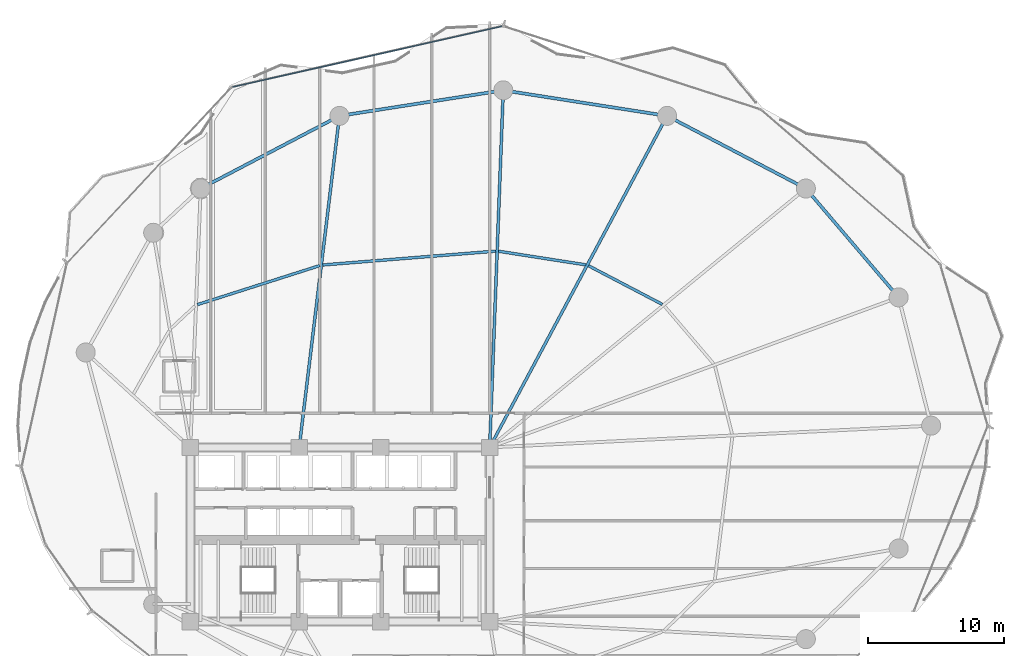
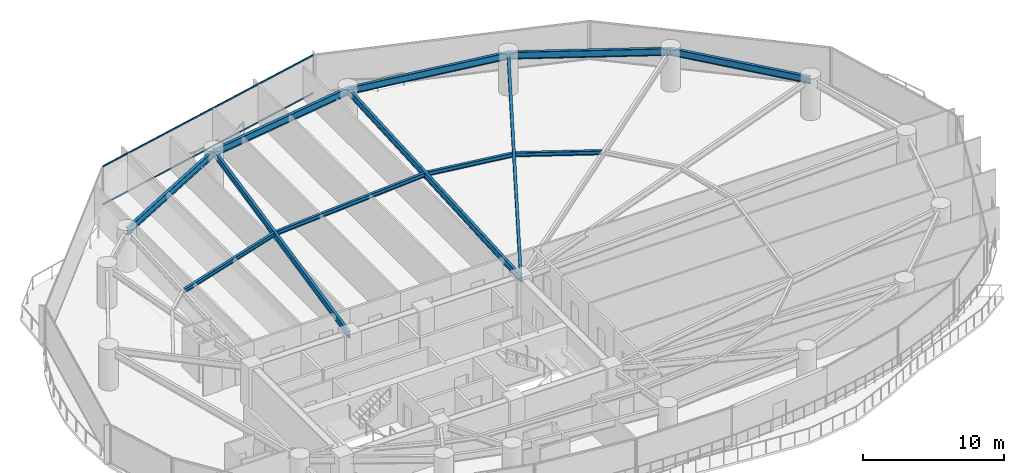
# One storey, part 18 of 33: 12 beams, 2 members, 1 element without a shape of its own.
"""IFC4 building model written with IfcOpenShell, lengths in metres."""

from ifc_helpers import new_model, si_unit, direction, frame, origin, origin_2d, place, context, subcontext, project, spatial, hollow_rectangle, i_section, extrude, material, layer, layer_set, material_profile, profile_set, type_object, element, aggregate, save


model = new_model("IFC4")

# Units and contexts
model_context = context("Model", 3, precision=1e-05, world=origin(), true_north=direction((0.0, 1.0)))
body_context = subcontext(model_context, "Body", "Model", "MODEL_VIEW")
ifc_project = project(units=[si_unit("LENGTHUNIT", "METRE"), si_unit("AREAUNIT", "SQUARE_METRE"), si_unit("VOLUMEUNIT", "CUBIC_METRE"), si_unit("PLANEANGLEUNIT", "RADIAN"), si_unit("MASSUNIT", "GRAM", prefix="KILO")], contexts=[model_context])

# Site, building, storey
site_placement = place(None, origin())
site = spatial("IfcSite", under=ifc_project, at=site_placement, CompositionType="ELEMENT")
building_placement = place(site_placement, origin())
building = spatial("IfcBuilding", under=site, at=building_placement, Name="Kazevale Care Tower and Concert Hall", CompositionType="ELEMENT")
storey_placement = place(building_placement, frame((0.0, 0.0, 27.60009765625)))
storey = spatial("IfcBuildingStorey", under=building, at=storey_placement, Name="L06", CompositionType="ELEMENT", Elevation=27.60009765625)

# Curtain wall, members
ifc_material_1 = material(Name="Aluminium 6063-T6 and Low-E Glass", Category="aluminium")
ifc_layer = layer(ifc_material_1, 0.179931640625)
ifc_layer_set = layer_set([ifc_layer], Name="Aluminium 6063-T6 and Low-E Glass")
curtain_wall_type = type_object("IfcCurtainWallType", Name="Convex Recessed Sunroom Curtain Wall CW-3", PredefinedType="NOTDEFINED", material=ifc_layer_set)
curtain_wall_placement = place(storey_placement, origin())
curtain_wall = element("IfcCurtainWall", 1, at=curtain_wall_placement, inside=storey, type_object=curtain_wall_type, Name="cw:L06:f15", PredefinedType="NOTDEFINED")
ifc_material_2 = material(Name="Aluminium 6063-T6", Category="aluminium")
ifc_material_profile_1 = material_profile(ifc_material_2, hollow_rectangle(XDim=0.074951171875, YDim=0.1201171875, WallThickness=0.00390625, at=origin_2d()), Name="ALU75x120x4")
ifc_profile_set_1 = profile_set([ifc_material_profile_1], Name="Aluminium 6063-T6")
member_type = type_object("IfcMemberType", Name="CW-3 Transom ALU75x120x4", PredefinedType="USERDEFINED", material=ifc_profile_set_1)
member_1_placement = place(storey_placement, frame((25.110107421875, 62.8935546875, 0.037353515625), z_axis=(0.975519983898, 0.219910802409, 0.0), x_axis=(-0.219910802409, 0.975519983898, 0.0)))
member_1 = element("IfcMember", 2, at=member_1_placement, type_object=member_type, Name="CW-3 transom 1.1", ObjectType="TRANSOM", PredefinedType="USERDEFINED", context=body_context, shape_type="SweptSolid", body=[
    extrude(hollow_rectangle(XDim=0.074951171875, YDim=0.1201171875, WallThickness=0.00390625, at=origin_2d()), origin(), (0.0, 0.0, 1.0), 20.27197265625),
])
member_2_placement = place(storey_placement, frame((25.110107421875, 62.8935546875, 3.322509765625), z_axis=(0.975519983898, 0.219910802409, 0.0), x_axis=(-0.219910802409, 0.975519983898, 0.0)))
member_2 = element("IfcMember", 3, at=member_2_placement, type_object=member_type, Name="CW-3 transom 1.2", ObjectType="TRANSOM", PredefinedType="USERDEFINED", context=body_context, shape_type="SweptSolid", body=[
    extrude(hollow_rectangle(XDim=0.074951171875, YDim=0.1201171875, WallThickness=0.00390625, at=origin_2d()), origin(), (0.0, 0.0, 1.0), 20.27197265625),
])
aggregate(curtain_wall, [member_1, member_2])

# Beams
ifc_material_3 = material(Name="Steel ASTM A572 Gr 50", Category="steel")
ifc_material_profile_2 = material_profile(ifc_material_3, i_section(OverallWidth=0.2119140625, OverallDepth=0.5439453125, WebThickness=0.01318359375, FlangeThickness=0.021240234375, at=origin_2d()), Name="W530x123")
ifc_profile_set_2 = profile_set([ifc_material_profile_2], Name="Steel ASTM A572 Gr 50")
beam_type_1 = type_object("IfcBeamType", Name="Radial Floor Girder W530x123", PredefinedType="BEAM", material=ifc_profile_set_2)
beam_1_placement = place(storey_placement, frame((44.0, 36.39990234375, 3.087890625), z_axis=(0.471788966953, 0.88171150081, 0.0), x_axis=(-0.88171150081, 0.471788966953, 0.0)))
element("IfcBeam", 4, at=beam_1_placement, inside=storey, type_object=beam_type_1, Name="beam:L06:rad:04", PredefinedType="BEAM", context=body_context, shape_type="SweptSolid", body=[
    extrude(i_section(OverallWidth=0.2119140625, OverallDepth=0.5439453125, WebThickness=0.01318359375, FlangeThickness=0.021240234375, at=origin_2d()), origin(), (0.0, 0.0, 1.0), 27.6396484375),
])
beam_2_placement = place(storey_placement, frame((44.0, 36.39990234375, 3.087890625), z_axis=(0.038067625343, 0.999275165258, 0.0), x_axis=(-0.999275165258, 0.038067625343, 0.0)))
element("IfcBeam", 5, at=beam_2_placement, inside=storey, type_object=beam_type_1, Name="beam:L06:rad:05", PredefinedType="BEAM", context=body_context, shape_type="SweptSolid", body=[
    extrude(i_section(OverallWidth=0.2119140625, OverallDepth=0.5439453125, WebThickness=0.01318359375, FlangeThickness=0.021240234375, at=origin_2d()), origin(), (0.0, 0.0, 1.0), 26.26904296875),
])
beam_3_placement = place(storey_placement, frame((30.0, 36.39990234375, 3.087890625), z_axis=(0.120572526662, 0.9927045209, 0.0), x_axis=(-0.9927045209, 0.120572526662, 0.0)))
element("IfcBeam", 6, at=beam_3_placement, inside=storey, type_object=beam_type_1, Name="beam:L06:rad:06", PredefinedType="BEAM", context=body_context, shape_type="SweptSolid", body=[
    extrude(i_section(OverallWidth=0.2119140625, OverallDepth=0.5439453125, WebThickness=0.01318359375, FlangeThickness=0.021240234375, at=origin_2d()), origin(), (0.0, 0.0, 1.0), 24.54931640625),
])
ifc_material_profile_3 = material_profile(ifc_material_3, i_section(OverallWidth=0.22900390625, OverallDepth=0.612060546875, WebThickness=0.011962890625, FlangeThickness=0.01953125, at=origin_2d()), Name="W610x125")
ifc_profile_set_3 = profile_set([ifc_material_profile_3], Name="Steel ASTM A572 Gr 50")
beam_type_2 = type_object("IfcBeamType", Name="Ring Spandrel Beam W610x125", PredefinedType="SPANDREL", material=ifc_profile_set_3)
beam_4_placement = place(storey_placement, frame((74.06005859375, 47.429931640625, 3.053955078125), z_axis=(-0.648756004283, 0.760996482848, 0.0), x_axis=(-0.760996482848, -0.648756004283, 0.0)))
element("IfcBeam", 7, at=beam_4_placement, inside=storey, type_object=beam_type_2, Name="beam:L06:ring:02", PredefinedType="SPANDREL", context=body_context, shape_type="SweptSolid", body=[
    extrude(i_section(OverallWidth=0.22900390625, OverallDepth=0.612060546875, WebThickness=0.011962890625, FlangeThickness=0.01953125, at=origin_2d()), origin(), (0.0, 0.0, 1.0), 10.512451171875),
])
beam_5_placement = place(storey_placement, frame((67.239990234375, 55.429931640625, 3.053955078125), z_axis=(-0.885929466679, 0.463819986708, 0.0), x_axis=(-0.463819986708, -0.885929466679, 0.0)))
element("IfcBeam", 8, at=beam_5_placement, inside=storey, type_object=beam_type_2, Name="beam:L06:ring:03", PredefinedType="SPANDREL", context=body_context, shape_type="SweptSolid", body=[
    extrude(i_section(OverallWidth=0.22900390625, OverallDepth=0.612060546875, WebThickness=0.011962890625, FlangeThickness=0.01953125, at=origin_2d()), origin(), (0.0, 0.0, 1.0), 11.51318359375),
])
for number, where, z_axis, x_axis, name in (
    (9, (57.0400390625, 60.77001953125, 3.053955078125), (-0.988029216561, 0.154266870134, 0.0), (-0.154266870134, -0.988029216561, 0.0), "beam:L06:ring:04"),
    (10, (45.0, 62.64990234375, 3.053955078125), (-0.988029216561, -0.154266870134, 0.0), (0.154266870134, -0.988029216561, 0.0), "beam:L06:ring:05"),
):
    element("IfcBeam", number, at=place(storey_placement, frame(where, z_axis=z_axis, x_axis=x_axis)), inside=storey, type_object=beam_type_2, Name=name, PredefinedType="SPANDREL", context=body_context, shape_type="SweptSolid", body=[
        extrude(i_section(OverallWidth=0.22900390625, OverallDepth=0.612060546875, WebThickness=0.011962890625, FlangeThickness=0.01953125, at=origin_2d()), origin(), (0.0, 0.0, 1.0), 12.18603515625),
    ])
beam_6_placement = place(storey_placement, frame((32.9599609375, 60.77001953125, 3.053955078125), z_axis=(-0.885929466679, -0.463819986708, 0.0), x_axis=(0.463819986708, -0.885929466679, 0.0)))
element("IfcBeam", 11, at=beam_6_placement, inside=storey, type_object=beam_type_2, Name="beam:L06:ring:06", PredefinedType="SPANDREL", context=body_context, shape_type="SweptSolid", body=[
    extrude(i_section(OverallWidth=0.22900390625, OverallDepth=0.612060546875, WebThickness=0.011962890625, FlangeThickness=0.01953125, at=origin_2d()), origin(), (0.0, 0.0, 1.0), 11.51318359375),
])
ifc_material_profile_4 = material_profile(ifc_material_3, i_section(OverallWidth=0.205078125, OverallDepth=0.35400390625, WebThickness=0.009521484375, FlangeThickness=0.016845703125, at=origin_2d()), Name="W360x79")
ifc_profile_set_4 = profile_set([ifc_material_profile_4], Name="Steel ASTM A572 Gr 50")
beam_type_3 = type_object("IfcBeamType", Name="Secondary Floor Joist W360x79", PredefinedType="JOIST", material=ifc_profile_set_4)
beam_7_placement = place(storey_placement, frame((56.68896484375, 46.9150390625, 3.182861328125), z_axis=(-0.885921274797, 0.463835633454, 0.0), x_axis=(-0.463835633454, -0.885921274797, 0.0)))
element("IfcBeam", 12, at=beam_7_placement, inside=storey, type_object=beam_type_3, Name="beam:L06:joist:03", PredefinedType="JOIST", context=body_context, shape_type="SweptSolid", body=[
    extrude(i_section(OverallWidth=0.205078125, OverallDepth=0.35400390625, WebThickness=0.009521484375, FlangeThickness=0.016845703125, at=origin_2d()), origin(), (0.0, 0.0, 1.0), 6.12255859375),
])
beam_8_placement = place(storey_placement, frame((51.068115234375, 49.820068359375, 3.182861328125), z_axis=(-0.988040697826, 0.154193318403, 0.0), x_axis=(-0.154193318403, -0.988040697826, 0.0)))
element("IfcBeam", 13, at=beam_8_placement, inside=storey, type_object=beam_type_3, Name="beam:L06:joist:04", PredefinedType="JOIST", context=body_context, shape_type="SweptSolid", body=[
    extrude(i_section(OverallWidth=0.205078125, OverallDepth=0.35400390625, WebThickness=0.009521484375, FlangeThickness=0.016845703125, at=origin_2d()), origin(), (0.0, 0.0, 1.0), 6.49169921875),
])
beam_9_placement = place(storey_placement, frame((44.445068359375, 50.8291015625, 3.182861328125), z_axis=(-0.996814548036, -0.079754353015, 0.0), x_axis=(0.079754353015, -0.996814548036, 0.0)))
element("IfcBeam", 14, at=beam_9_placement, inside=storey, type_object=beam_type_3, Name="beam:L06:joist:05", PredefinedType="JOIST", context=body_context, shape_type="SweptSolid", body=[
    extrude(i_section(OverallWidth=0.205078125, OverallDepth=0.35400390625, WebThickness=0.009521484375, FlangeThickness=0.016845703125, at=origin_2d()), origin(), (0.0, 0.0, 1.0), 12.752685546875),
])
beam_10_placement = place(storey_placement, frame((31.528076171875, 49.77197265625, 3.182861328125), z_axis=(-0.9527054955, -0.303895111584, 0.0), x_axis=(0.303895111584, -0.9527054955, 0.0)))
element("IfcBeam", 15, at=beam_10_placement, inside=storey, type_object=beam_type_3, Name="beam:L06:joist:06", PredefinedType="JOIST", context=body_context, shape_type="SweptSolid", body=[
    extrude(i_section(OverallWidth=0.205078125, OverallDepth=0.35400390625, WebThickness=0.009521484375, FlangeThickness=0.016845703125, at=origin_2d()), origin(), (0.0, 0.0, 1.0), 9.457275390625),
])

save(model, "model.ifc")
